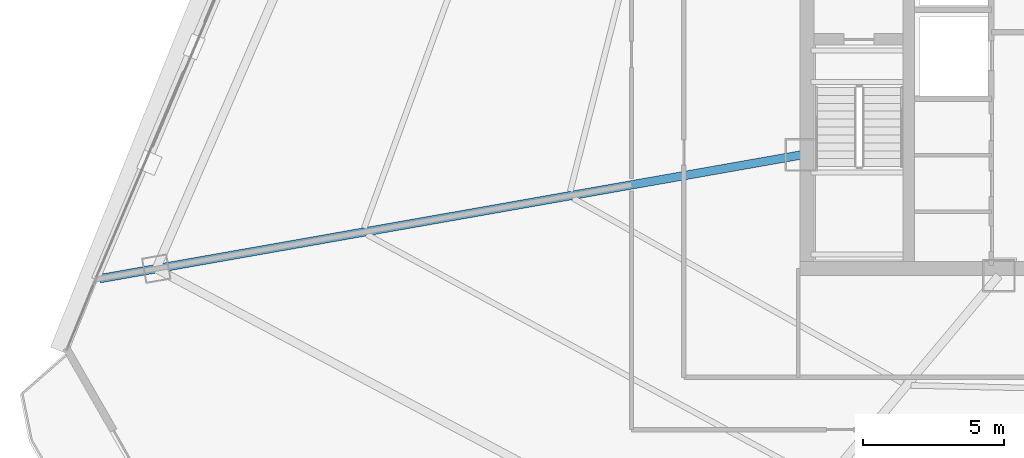
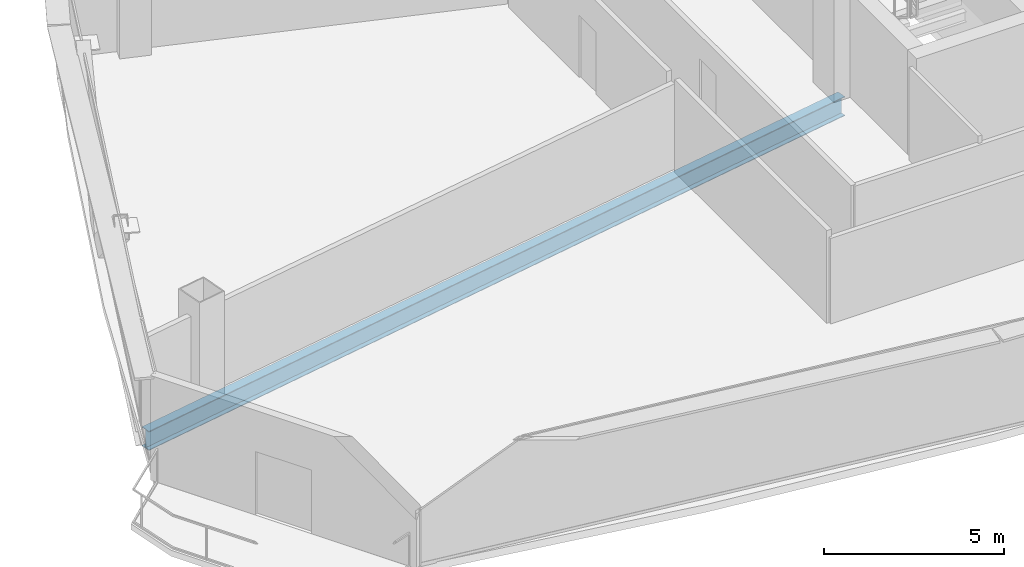
# One storey, part 5 of 37: 1 beam.
"""IFC4 building model written with IfcOpenShell, lengths in metres."""

from ifc_helpers import new_model, si_unit, direction, frame, origin, origin_2d, place, context, subcontext, project, spatial, i_section, extrude, source, transform, mapped, material, material_profile, profile_set, type_object, element, save


model = new_model("IFC4")

# Units and contexts
model_context = context("Model", 3, precision=1e-05, world=origin(), true_north=direction((0.0, 1.0)))
body_context = subcontext(model_context, "Body", "Model", "MODEL_VIEW")
ifc_project = project(units=[si_unit("LENGTHUNIT", "METRE"), si_unit("AREAUNIT", "SQUARE_METRE"), si_unit("VOLUMEUNIT", "CUBIC_METRE"), si_unit("PLANEANGLEUNIT", "RADIAN"), si_unit("MASSUNIT", "GRAM", prefix="KILO"), si_unit("THERMODYNAMICTEMPERATUREUNIT", "KELVIN"), si_unit("POWERUNIT", "WATT")], contexts=[model_context])

# Site, building, storey
site_placement = place(None, origin())
site = spatial("IfcSite", under=ifc_project, at=site_placement, CompositionType="ELEMENT")
building_placement = place(site_placement, origin())
building = spatial("IfcBuilding", under=site, at=building_placement, Name="Yunzhuo Pagoda Commons", CompositionType="ELEMENT")
storey_placement = place(building_placement, frame((0.0, 0.0, 199.9599609375)))
storey = spatial("IfcBuildingStorey", under=building, at=storey_placement, Name="L50", CompositionType="ELEMENT", Elevation=199.9599609375)

# Beam
ifc_material = material(Name="Structural steel Q355B", Category="steel")
ifc_material_profile = material_profile(ifc_material, i_section(OverallWidth=0.300048828125, OverallDepth=0.64990234375, WebThickness=0.012939453125, FlangeThickness=0.02197265625, at=origin_2d()), Name="Structural steel Q355B")
ifc_profile_set = profile_set([ifc_material_profile], Name="Structural steel Q355B")
beam_type = type_object("IfcBeamType", Name="B-RG2 Beam HN 650x300x13x22", PredefinedType="BEAM", material=ifc_profile_set)
shared_shape = source(origin(), body_context, "Body", "SweptSolid", [
    extrude(i_section(OverallWidth=0.300048828125, OverallDepth=0.64990234375, WebThickness=0.012939453125, FlangeThickness=0.02197265625, at=origin_2d()), origin(), (0.0, 0.0, 1.0), 25.183349609375),
])
beam_placement = place(storey_placement, frame((10.79931640625, 27.140380859375, -0.5849609375), z_axis=(0.984807753026, 0.173648177589, 0.0), x_axis=(-0.173648177589, 0.984807753026, 0.0)))
element("IfcBeam", 1, at=beam_placement, inside=storey, type_object=beam_type, Name="L50 radial floor girder F3C4", PredefinedType="BEAM", context=body_context, shape_type="MappedRepresentation", body=[
    mapped(shared_shape, transform((0.0, 0.0, 0.0), scale=1.0)),
])

save(model, "model.ifc")
